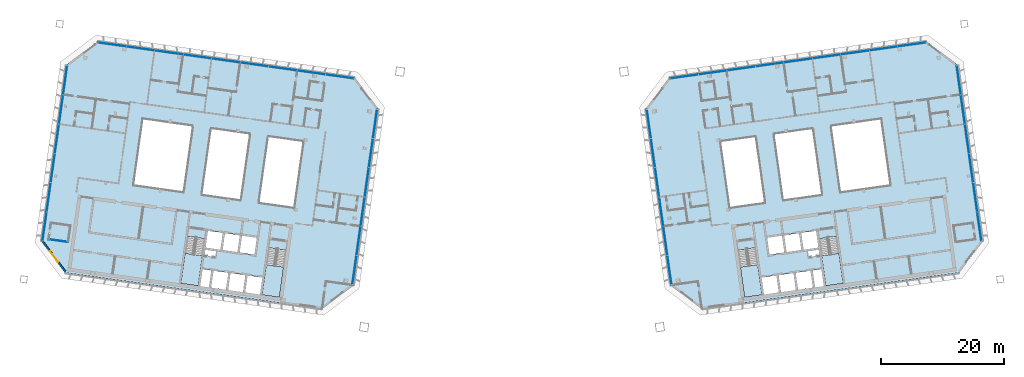
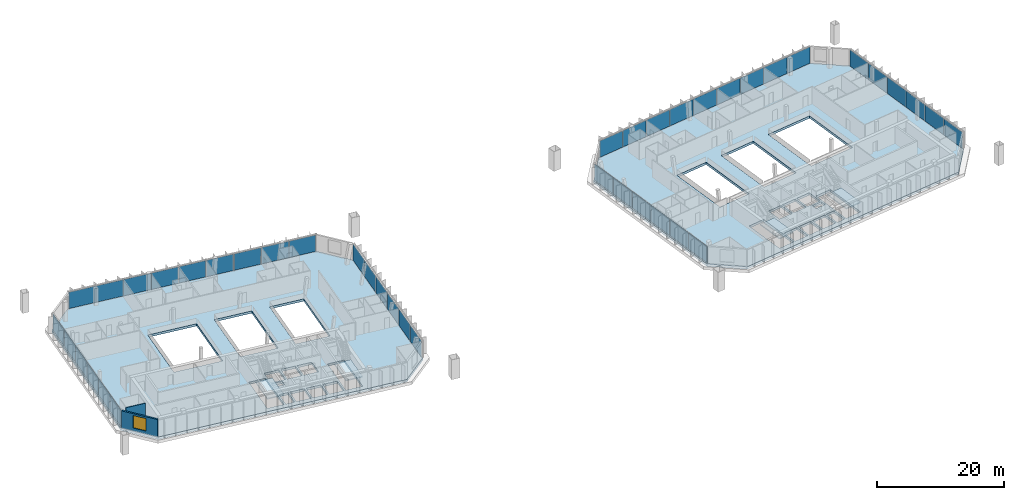
# One storey, part 11 of 20: 42 plates, 6 slabs, 2 walls, 1 window, 1 opening, 10 elements without a shape of their own.
"""IFC4 building model written with IfcOpenShell, lengths in metres."""

from ifc_helpers import new_model, si_unit, direction, frame, frame_2d, origin, origin_2d, place, context, subcontext, project, spatial, polyline, rectangle, outline, extrude, material, layer, layer_set, type_object, element, fill, aggregate, save


model = new_model("IFC4")

# Units and contexts
model_context = context("Model", 3, precision=1e-05, world=origin(), true_north=direction((0.0, 1.0)))
body_context = subcontext(model_context, "Body", "Model", "MODEL_VIEW")
ifc_project = project(units=[si_unit("LENGTHUNIT", "METRE"), si_unit("AREAUNIT", "SQUARE_METRE"), si_unit("VOLUMEUNIT", "CUBIC_METRE"), si_unit("PLANEANGLEUNIT", "RADIAN"), si_unit("MASSUNIT", "GRAM", prefix="KILO")], contexts=[model_context])

# Site, building, storey
site_placement = place(None, origin())
site = spatial("IfcSite", under=ifc_project, at=site_placement, CompositionType="ELEMENT")
building_placement = place(site_placement, origin())
building = spatial("IfcBuilding", under=site, at=building_placement, Name="Mirante Cascada Hotel Towers", CompositionType="ELEMENT")
storey_placement = place(building_placement, frame((0.0, 0.0, 224.2)))
storey = spatial("IfcBuildingStorey", under=building, at=storey_placement, Name="L53", CompositionType="ELEMENT", Elevation=224.2)

# Curtain wall, plates
ifc_material_1 = material(Name="Aluminium mullion and transom frame with clear laminated glass", Category="aluminium")
curtain_wall_type_1 = type_object("IfcCurtainWallType", Name="Ribbon curtain wall ECW1", PredefinedType="NOTDEFINED", material=ifc_material_1)
curtain_wall_1_placement = place(storey_placement, origin())
curtain_wall_1 = element("IfcCurtainWall", 1, at=curtain_wall_1_placement, inside=storey, type_object=curtain_wall_type_1, Name="Front ribbon wall T1 L53", PredefinedType="NOTDEFINED")
ifc_material_2 = material(Name="Clear laminated glass", Category="glass")
ifc_layer_1 = layer(ifc_material_2, 0.036)
ifc_layer_set_1 = layer_set([ifc_layer_1], Name="ECW1 glass panel 36")
plate_type_1 = type_object("IfcPlateType", Name="ECW1 glass panel 36", PredefinedType="CURTAIN_PANEL", material=ifc_layer_set_1)
plate_1_placement = place(storey_placement, frame((-65.0871, 21.9664, 0.1), z_axis=(0.0, 0.0, 1.0), x_axis=(0.9902681, -0.1391731, 0.0)))
plate_1 = element("IfcPlate", 2, at=plate_1_placement, type_object=plate_type_1, Name="ECW1 panel 1", PredefinedType="CURTAIN_PANEL", context=body_context, shape_type="SweptSolid", body=[
    extrude(rectangle(XDim=4.5836, YDim=0.036, at=origin_2d()), origin(), (0.0, 0.0, 1.0), 3.15),
])
plate_2_placement = place(storey_placement, frame((-60.4676, 21.3172, 0.1), z_axis=(0.0, 0.0, 1.0), x_axis=(0.9902681, -0.1391731, 0.0)))
plate_2 = element("IfcPlate", 3, at=plate_2_placement, type_object=plate_type_1, Name="ECW1 panel 2", PredefinedType="CURTAIN_PANEL", context=body_context, shape_type="SweptSolid", body=[
    extrude(rectangle(XDim=4.6161, YDim=0.036, at=origin_2d()), origin(), (0.0, 0.0, 1.0), 3.15),
])
plate_3_placement = place(storey_placement, frame((-55.8321, 20.6657, 0.1), z_axis=(0.0, 0.0, 1.0), x_axis=(0.9902681, -0.1391731, 0.0)))
plate_3 = element("IfcPlate", 4, at=plate_3_placement, type_object=plate_type_1, Name="ECW1 panel 3", PredefinedType="CURTAIN_PANEL", context=body_context, shape_type="SweptSolid", body=[
    extrude(rectangle(XDim=4.6161, YDim=0.036, at=origin_2d()), origin(), (0.0, 0.0, 1.0), 3.15),
])
plate_4_placement = place(storey_placement, frame((-51.1966, 20.0142, 0.1), z_axis=(0.0, 0.0, 1.0), x_axis=(0.9902681, -0.1391731, 0.0)))
plate_4 = element("IfcPlate", 5, at=plate_4_placement, type_object=plate_type_1, Name="ECW1 panel 4", PredefinedType="CURTAIN_PANEL", context=body_context, shape_type="SweptSolid", body=[
    extrude(rectangle(XDim=4.6161, YDim=0.036, at=origin_2d()), origin(), (0.0, 0.0, 1.0), 3.15),
])
plate_5_placement = place(storey_placement, frame((-46.5611, 19.3628, 0.1), z_axis=(0.0, 0.0, 1.0), x_axis=(0.9902681, -0.1391731, 0.0)))
plate_5 = element("IfcPlate", 6, at=plate_5_placement, type_object=plate_type_1, Name="ECW1 panel 5", PredefinedType="CURTAIN_PANEL", context=body_context, shape_type="SweptSolid", body=[
    extrude(rectangle(XDim=4.6161, YDim=0.036, at=origin_2d()), origin(), (0.0, 0.0, 1.0), 3.15),
])
plate_6_placement = place(storey_placement, frame((-41.9255, 18.7113, 0.1), z_axis=(0.0, 0.0, 1.0), x_axis=(0.9902681, -0.1391731, 0.0)))
plate_6 = element("IfcPlate", 7, at=plate_6_placement, type_object=plate_type_1, Name="ECW1 panel 6", PredefinedType="CURTAIN_PANEL", context=body_context, shape_type="SweptSolid", body=[
    extrude(rectangle(XDim=4.6161, YDim=0.036, at=origin_2d()), origin(), (0.0, 0.0, 1.0), 3.15),
])
plate_7_placement = place(storey_placement, frame((-37.29, 18.0598, 0.1), z_axis=(0.0, 0.0, 1.0), x_axis=(0.9902681, -0.1391731, 0.0)))
plate_7 = element("IfcPlate", 8, at=plate_7_placement, type_object=plate_type_1, Name="ECW1 panel 7", PredefinedType="CURTAIN_PANEL", context=body_context, shape_type="SweptSolid", body=[
    extrude(rectangle(XDim=4.6161, YDim=0.036, at=origin_2d()), origin(), (0.0, 0.0, 1.0), 3.15),
])
plate_8_placement = place(storey_placement, frame((-32.6545, 17.4083, 0.1), z_axis=(0.0, 0.0, 1.0), x_axis=(0.9902681, -0.1391731, 0.0)))
plate_8 = element("IfcPlate", 9, at=plate_8_placement, type_object=plate_type_1, Name="ECW1 panel 8", PredefinedType="CURTAIN_PANEL", context=body_context, shape_type="SweptSolid", body=[
    extrude(rectangle(XDim=4.6161, YDim=0.036, at=origin_2d()), origin(), (0.0, 0.0, 1.0), 3.15),
])
plate_9_placement = place(storey_placement, frame((-28.035, 16.7591, 0.1), z_axis=(0.0, 0.0, 1.0), x_axis=(0.9902681, -0.1391731, 0.0)))
plate_9 = element("IfcPlate", 10, at=plate_9_placement, type_object=plate_type_1, Name="ECW1 panel 9", PredefinedType="CURTAIN_PANEL", context=body_context, shape_type="SweptSolid", body=[
    extrude(rectangle(XDim=4.5836, YDim=0.036, at=origin_2d()), origin(), (0.0, 0.0, 1.0), 3.15),
])
aggregate(curtain_wall_1, [plate_1, plate_2, plate_3, plate_4, plate_5, plate_6, plate_7, plate_8, plate_9])

curtain_wall_2_placement = place(storey_placement, origin())
curtain_wall_2 = element("IfcCurtainWall", 11, at=curtain_wall_2_placement, inside=storey, type_object=curtain_wall_type_1, Name="Front ribbon wall T2 L53", PredefinedType="NOTDEFINED")
plate_10_placement = place(storey_placement, frame((65.0871, 21.9664, 0.1), z_axis=(0.0, 0.0, 1.0), x_axis=(-0.9902681, -0.1391731, 0.0)))
plate_10 = element("IfcPlate", 12, at=plate_10_placement, type_object=plate_type_1, Name="ECW1 panel 1", PredefinedType="CURTAIN_PANEL", context=body_context, shape_type="SweptSolid", body=[
    extrude(rectangle(XDim=4.5836, YDim=0.036, at=origin_2d()), origin(), (0.0, 0.0, 1.0), 3.15),
])
plate_11_placement = place(storey_placement, frame((60.4676, 21.3172, 0.1), z_axis=(0.0, 0.0, 1.0), x_axis=(-0.9902681, -0.1391731, 0.0)))
plate_11 = element("IfcPlate", 13, at=plate_11_placement, type_object=plate_type_1, Name="ECW1 panel 2", PredefinedType="CURTAIN_PANEL", context=body_context, shape_type="SweptSolid", body=[
    extrude(rectangle(XDim=4.6161, YDim=0.036, at=origin_2d()), origin(), (0.0, 0.0, 1.0), 3.15),
])
plate_12_placement = place(storey_placement, frame((55.8321, 20.6657, 0.1), z_axis=(0.0, 0.0, 1.0), x_axis=(-0.9902681, -0.1391731, 0.0)))
plate_12 = element("IfcPlate", 14, at=plate_12_placement, type_object=plate_type_1, Name="ECW1 panel 3", PredefinedType="CURTAIN_PANEL", context=body_context, shape_type="SweptSolid", body=[
    extrude(rectangle(XDim=4.6161, YDim=0.036, at=origin_2d()), origin(), (0.0, 0.0, 1.0), 3.15),
])
plate_13_placement = place(storey_placement, frame((51.1966, 20.0142, 0.1), z_axis=(0.0, 0.0, 1.0), x_axis=(-0.9902681, -0.1391731, 0.0)))
plate_13 = element("IfcPlate", 15, at=plate_13_placement, type_object=plate_type_1, Name="ECW1 panel 4", PredefinedType="CURTAIN_PANEL", context=body_context, shape_type="SweptSolid", body=[
    extrude(rectangle(XDim=4.6161, YDim=0.036, at=origin_2d()), origin(), (0.0, 0.0, 1.0), 3.15),
])
plate_14_placement = place(storey_placement, frame((46.5611, 19.3628, 0.1), z_axis=(0.0, 0.0, 1.0), x_axis=(-0.9902681, -0.1391731, 0.0)))
plate_14 = element("IfcPlate", 16, at=plate_14_placement, type_object=plate_type_1, Name="ECW1 panel 5", PredefinedType="CURTAIN_PANEL", context=body_context, shape_type="SweptSolid", body=[
    extrude(rectangle(XDim=4.6161, YDim=0.036, at=origin_2d()), origin(), (0.0, 0.0, 1.0), 3.15),
])
plate_15_placement = place(storey_placement, frame((41.9255, 18.7113, 0.1), z_axis=(0.0, 0.0, 1.0), x_axis=(-0.9902681, -0.1391731, 0.0)))
plate_15 = element("IfcPlate", 17, at=plate_15_placement, type_object=plate_type_1, Name="ECW1 panel 6", PredefinedType="CURTAIN_PANEL", context=body_context, shape_type="SweptSolid", body=[
    extrude(rectangle(XDim=4.6161, YDim=0.036, at=origin_2d()), origin(), (0.0, 0.0, 1.0), 3.15),
])
plate_16_placement = place(storey_placement, frame((37.29, 18.0598, 0.1), z_axis=(0.0, 0.0, 1.0), x_axis=(-0.9902681, -0.1391731, 0.0)))
plate_16 = element("IfcPlate", 18, at=plate_16_placement, type_object=plate_type_1, Name="ECW1 panel 7", PredefinedType="CURTAIN_PANEL", context=body_context, shape_type="SweptSolid", body=[
    extrude(rectangle(XDim=4.6161, YDim=0.036, at=origin_2d()), origin(), (0.0, 0.0, 1.0), 3.15),
])
plate_17_placement = place(storey_placement, frame((32.6545, 17.4083, 0.1), z_axis=(0.0, 0.0, 1.0), x_axis=(-0.9902681, -0.1391731, 0.0)))
plate_17 = element("IfcPlate", 19, at=plate_17_placement, type_object=plate_type_1, Name="ECW1 panel 8", PredefinedType="CURTAIN_PANEL", context=body_context, shape_type="SweptSolid", body=[
    extrude(rectangle(XDim=4.6161, YDim=0.036, at=origin_2d()), origin(), (0.0, 0.0, 1.0), 3.15),
])
plate_18_placement = place(storey_placement, frame((28.035, 16.7591, 0.1), z_axis=(0.0, 0.0, 1.0), x_axis=(-0.9902681, -0.1391731, 0.0)))
plate_18 = element("IfcPlate", 20, at=plate_18_placement, type_object=plate_type_1, Name="ECW1 panel 9", PredefinedType="CURTAIN_PANEL", context=body_context, shape_type="SweptSolid", body=[
    extrude(rectangle(XDim=4.5836, YDim=0.036, at=origin_2d()), origin(), (0.0, 0.0, 1.0), 3.15),
])
aggregate(curtain_wall_2, [plate_10, plate_11, plate_12, plate_13, plate_14, plate_15, plate_16, plate_17, plate_18])

ifc_material_3 = material(Name="Aluminium mullion and transom frame with clear laminated glass", Category="aluminium")
curtain_wall_type_2 = type_object("IfcCurtainWallType", Name="End ribbon curtain wall ECW2", PredefinedType="NOTDEFINED", material=ifc_material_3)
curtain_wall_3_placement = place(storey_placement, origin())
curtain_wall_3 = element("IfcCurtainWall", 21, at=curtain_wall_3_placement, inside=storey, type_object=curtain_wall_type_2, Name="Inner end wall T1 L53", PredefinedType="NOTDEFINED")
ifc_material_4 = material(Name="Clear laminated glass", Category="glass")
ifc_layer_2 = layer(ifc_material_4, 0.034)
ifc_layer_set_2 = layer_set([ifc_layer_2], Name="ECW2 glass panel 34")
plate_type_2 = type_object("IfcPlateType", Name="ECW2 glass panel 34", PredefinedType="CURTAIN_PANEL", material=ifc_layer_set_2)
plate_19_placement = place(storey_placement, frame((-22.2832, 9.0489, 0.1), z_axis=(0.0, 0.0, 1.0), x_axis=(-0.1391731, -0.9902681, 0.0)))
plate_19 = element("IfcPlate", 22, at=plate_19_placement, type_object=plate_type_2, Name="ECW2 panel 1", PredefinedType="CURTAIN_PANEL", context=body_context, shape_type="SweptSolid", body=[
    extrude(rectangle(XDim=4.7151, YDim=0.034, at=origin_2d()), origin(), (0.0, 0.0, 1.0), 3.15),
])
plate_20_placement = place(storey_placement, frame((-22.9507, 4.2992, 0.1), z_axis=(0.0, 0.0, 1.0), x_axis=(-0.1391731, -0.9902681, 0.0)))
plate_20 = element("IfcPlate", 23, at=plate_20_placement, type_object=plate_type_2, Name="ECW2 panel 2", PredefinedType="CURTAIN_PANEL", context=body_context, shape_type="SweptSolid", body=[
    extrude(rectangle(XDim=4.7476, YDim=0.034, at=origin_2d()), origin(), (0.0, 0.0, 1.0), 3.15),
])
plate_21_placement = place(storey_placement, frame((-23.6205, -0.4666, 0.1), z_axis=(0.0, 0.0, 1.0), x_axis=(-0.1391731, -0.9902681, 0.0)))
plate_21 = element("IfcPlate", 24, at=plate_21_placement, type_object=plate_type_2, Name="ECW2 panel 3", PredefinedType="CURTAIN_PANEL", context=body_context, shape_type="SweptSolid", body=[
    extrude(rectangle(XDim=4.7476, YDim=0.034, at=origin_2d()), origin(), (0.0, 0.0, 1.0), 3.15),
])
plate_22_placement = place(storey_placement, frame((-24.2903, -5.2324, 0.1), z_axis=(0.0, 0.0, 1.0), x_axis=(-0.1391731, -0.9902681, 0.0)))
plate_22 = element("IfcPlate", 25, at=plate_22_placement, type_object=plate_type_2, Name="ECW2 panel 4", PredefinedType="CURTAIN_PANEL", context=body_context, shape_type="SweptSolid", body=[
    extrude(rectangle(XDim=4.7476, YDim=0.034, at=origin_2d()), origin(), (0.0, 0.0, 1.0), 3.15),
])
plate_23_placement = place(storey_placement, frame((-24.9601, -9.9982, 0.1), z_axis=(0.0, 0.0, 1.0), x_axis=(-0.1391731, -0.9902681, 0.0)))
plate_23 = element("IfcPlate", 26, at=plate_23_placement, type_object=plate_type_2, Name="ECW2 panel 5", PredefinedType="CURTAIN_PANEL", context=body_context, shape_type="SweptSolid", body=[
    extrude(rectangle(XDim=4.7476, YDim=0.034, at=origin_2d()), origin(), (0.0, 0.0, 1.0), 3.15),
])
plate_24_placement = place(storey_placement, frame((-25.6276, -14.7479, 0.1), z_axis=(0.0, 0.0, 1.0), x_axis=(-0.1391731, -0.9902681, 0.0)))
plate_24 = element("IfcPlate", 27, at=plate_24_placement, type_object=plate_type_2, Name="ECW2 panel 6", PredefinedType="CURTAIN_PANEL", context=body_context, shape_type="SweptSolid", body=[
    extrude(rectangle(XDim=4.7151, YDim=0.034, at=origin_2d()), origin(), (0.0, 0.0, 1.0), 3.15),
])
aggregate(curtain_wall_3, [plate_19, plate_20, plate_21, plate_22, plate_23, plate_24])

curtain_wall_4_placement = place(storey_placement, origin())
curtain_wall_4 = element("IfcCurtainWall", 28, at=curtain_wall_4_placement, inside=storey, type_object=curtain_wall_type_2, Name="Outer end wall T1 L53", PredefinedType="NOTDEFINED")
plate_25_placement = place(storey_placement, frame((-76.0857, -7.6565, 0.1), z_axis=(0.0, 0.0, 1.0), x_axis=(0.1391731, 0.9902681, 0.0)))
plate_25 = element("IfcPlate", 29, at=plate_25_placement, type_object=plate_type_2, Name="ECW2 panel 1", PredefinedType="CURTAIN_PANEL", context=body_context, shape_type="SweptSolid", body=[
    extrude(rectangle(XDim=4.7151, YDim=0.034, at=origin_2d()), origin(), (0.0, 0.0, 1.0), 3.15),
])
plate_26_placement = place(storey_placement, frame((-72.7413, 16.1403, 0.1), z_axis=(0.0, 0.0, 1.0), x_axis=(0.1391731, 0.9902681, 0.0)))
plate_26 = element("IfcPlate", 30, at=plate_26_placement, type_object=plate_type_2, Name="ECW2 panel 6", PredefinedType="CURTAIN_PANEL", context=body_context, shape_type="SweptSolid", body=[
    extrude(rectangle(XDim=4.7151, YDim=0.034, at=origin_2d()), origin(), (0.0, 0.0, 1.0), 3.15),
])

curtain_wall_5_placement = place(storey_placement, origin())
curtain_wall_5 = element("IfcCurtainWall", 31, at=curtain_wall_5_placement, inside=storey, type_object=curtain_wall_type_2, Name="Inner end wall T2 L53", PredefinedType="NOTDEFINED")
plate_27_placement = place(storey_placement, frame((22.2832, 9.0489, 0.1), z_axis=(0.0, 0.0, 1.0), x_axis=(0.1391731, -0.9902681, 0.0)))
plate_27 = element("IfcPlate", 32, at=plate_27_placement, type_object=plate_type_2, Name="ECW2 panel 1", PredefinedType="CURTAIN_PANEL", context=body_context, shape_type="SweptSolid", body=[
    extrude(rectangle(XDim=4.7151, YDim=0.034, at=origin_2d()), origin(), (0.0, 0.0, 1.0), 3.15),
])
plate_28_placement = place(storey_placement, frame((22.9507, 4.2992, 0.1), z_axis=(0.0, 0.0, 1.0), x_axis=(0.1391731, -0.9902681, 0.0)))
plate_28 = element("IfcPlate", 33, at=plate_28_placement, type_object=plate_type_2, Name="ECW2 panel 2", PredefinedType="CURTAIN_PANEL", context=body_context, shape_type="SweptSolid", body=[
    extrude(rectangle(XDim=4.7476, YDim=0.034, at=origin_2d()), origin(), (0.0, 0.0, 1.0), 3.15),
])
plate_29_placement = place(storey_placement, frame((23.6205, -0.4666, 0.1), z_axis=(0.0, 0.0, 1.0), x_axis=(0.1391731, -0.9902681, 0.0)))
plate_29 = element("IfcPlate", 34, at=plate_29_placement, type_object=plate_type_2, Name="ECW2 panel 3", PredefinedType="CURTAIN_PANEL", context=body_context, shape_type="SweptSolid", body=[
    extrude(rectangle(XDim=4.7476, YDim=0.034, at=origin_2d()), origin(), (0.0, 0.0, 1.0), 3.15),
])
plate_30_placement = place(storey_placement, frame((24.2903, -5.2324, 0.1), z_axis=(0.0, 0.0, 1.0), x_axis=(0.1391731, -0.9902681, 0.0)))
plate_30 = element("IfcPlate", 35, at=plate_30_placement, type_object=plate_type_2, Name="ECW2 panel 4", PredefinedType="CURTAIN_PANEL", context=body_context, shape_type="SweptSolid", body=[
    extrude(rectangle(XDim=4.7476, YDim=0.034, at=origin_2d()), origin(), (0.0, 0.0, 1.0), 3.15),
])
plate_31_placement = place(storey_placement, frame((24.9601, -9.9982, 0.1), z_axis=(0.0, 0.0, 1.0), x_axis=(0.1391731, -0.9902681, 0.0)))
plate_31 = element("IfcPlate", 36, at=plate_31_placement, type_object=plate_type_2, Name="ECW2 panel 5", PredefinedType="CURTAIN_PANEL", context=body_context, shape_type="SweptSolid", body=[
    extrude(rectangle(XDim=4.7476, YDim=0.034, at=origin_2d()), origin(), (0.0, 0.0, 1.0), 3.15),
])
plate_32_placement = place(storey_placement, frame((25.6276, -14.7479, 0.1), z_axis=(0.0, 0.0, 1.0), x_axis=(0.1391731, -0.9902681, 0.0)))
plate_32 = element("IfcPlate", 37, at=plate_32_placement, type_object=plate_type_2, Name="ECW2 panel 6", PredefinedType="CURTAIN_PANEL", context=body_context, shape_type="SweptSolid", body=[
    extrude(rectangle(XDim=4.7151, YDim=0.034, at=origin_2d()), origin(), (0.0, 0.0, 1.0), 3.15),
])
aggregate(curtain_wall_5, [plate_27, plate_28, plate_29, plate_30, plate_31, plate_32])

curtain_wall_6_placement = place(storey_placement, origin())
curtain_wall_6 = element("IfcCurtainWall", 38, at=curtain_wall_6_placement, inside=storey, type_object=curtain_wall_type_2, Name="Outer end wall T2 L53", PredefinedType="NOTDEFINED")
plate_33_placement = place(storey_placement, frame((76.0857, -7.6565, 0.1), z_axis=(0.0, 0.0, 1.0), x_axis=(-0.1391731, 0.9902681, 0.0)))
plate_33 = element("IfcPlate", 39, at=plate_33_placement, type_object=plate_type_2, Name="ECW2 panel 1", PredefinedType="CURTAIN_PANEL", context=body_context, shape_type="SweptSolid", body=[
    extrude(rectangle(XDim=4.7151, YDim=0.034, at=origin_2d()), origin(), (0.0, 0.0, 1.0), 3.15),
])
plate_34_placement = place(storey_placement, frame((72.7413, 16.1403, 0.1), z_axis=(0.0, 0.0, 1.0), x_axis=(-0.1391731, 0.9902681, 0.0)))
plate_34 = element("IfcPlate", 40, at=plate_34_placement, type_object=plate_type_2, Name="ECW2 panel 6", PredefinedType="CURTAIN_PANEL", context=body_context, shape_type="SweptSolid", body=[
    extrude(rectangle(XDim=4.7151, YDim=0.034, at=origin_2d()), origin(), (0.0, 0.0, 1.0), 3.15),
])

# Plate
ifc_material_5 = material(Name="Insulated aluminium spandrel panel", Category="aluminium")
ifc_layer_3 = layer(ifc_material_5, 0.034)
ifc_layer_set_3 = layer_set([ifc_layer_3], Name="ECW2 spandrel panel 34")
plate_type_3 = type_object("IfcPlateType", Name="ECW2 spandrel panel 34", PredefinedType="CURTAIN_PANEL", material=ifc_layer_set_3)
plate_35_placement = place(storey_placement, frame((-75.4182, -2.9068, 0.1), z_axis=(0.0, 0.0, 1.0), x_axis=(0.1391731, 0.9902681, 0.0)))
plate_35 = element("IfcPlate", 41, at=plate_35_placement, type_object=plate_type_3, Name="ECW2 panel 2", PredefinedType="CURTAIN_PANEL", context=body_context, shape_type="SweptSolid", body=[
    extrude(rectangle(XDim=4.7476, YDim=0.034, at=origin_2d()), origin(), (0.0, 0.0, 1.0), 3.15),
])

plate_36_placement = place(storey_placement, frame((-74.7484, 1.859, 0.1), z_axis=(0.0, 0.0, 1.0), x_axis=(0.1391731, 0.9902681, 0.0)))
plate_36 = element("IfcPlate", 42, at=plate_36_placement, type_object=plate_type_3, Name="ECW2 panel 3", PredefinedType="CURTAIN_PANEL", context=body_context, shape_type="SweptSolid", body=[
    extrude(rectangle(XDim=4.7476, YDim=0.034, at=origin_2d()), origin(), (0.0, 0.0, 1.0), 3.15),
])

plate_37_placement = place(storey_placement, frame((-74.0786, 6.6248, 0.1), z_axis=(0.0, 0.0, 1.0), x_axis=(0.1391731, 0.9902681, 0.0)))
plate_37 = element("IfcPlate", 43, at=plate_37_placement, type_object=plate_type_3, Name="ECW2 panel 4", PredefinedType="CURTAIN_PANEL", context=body_context, shape_type="SweptSolid", body=[
    extrude(rectangle(XDim=4.7476, YDim=0.034, at=origin_2d()), origin(), (0.0, 0.0, 1.0), 3.15),
])

plate_38_placement = place(storey_placement, frame((-73.4088, 11.3906, 0.1), z_axis=(0.0, 0.0, 1.0), x_axis=(0.1391731, 0.9902681, 0.0)))
plate_38 = element("IfcPlate", 44, at=plate_38_placement, type_object=plate_type_3, Name="ECW2 panel 5", PredefinedType="CURTAIN_PANEL", context=body_context, shape_type="SweptSolid", body=[
    extrude(rectangle(XDim=4.7476, YDim=0.034, at=origin_2d()), origin(), (0.0, 0.0, 1.0), 3.15),
])

aggregate(curtain_wall_4, [plate_25, plate_35, plate_36, plate_37, plate_38, plate_26])

plate_39_placement = place(storey_placement, frame((75.4182, -2.9068, 0.1), z_axis=(0.0, 0.0, 1.0), x_axis=(-0.1391731, 0.9902681, 0.0)))
plate_39 = element("IfcPlate", 45, at=plate_39_placement, type_object=plate_type_3, Name="ECW2 panel 2", PredefinedType="CURTAIN_PANEL", context=body_context, shape_type="SweptSolid", body=[
    extrude(rectangle(XDim=4.7476, YDim=0.034, at=origin_2d()), origin(), (0.0, 0.0, 1.0), 3.15),
])

plate_40_placement = place(storey_placement, frame((74.7484, 1.859, 0.1), z_axis=(0.0, 0.0, 1.0), x_axis=(-0.1391731, 0.9902681, 0.0)))
plate_40 = element("IfcPlate", 46, at=plate_40_placement, type_object=plate_type_3, Name="ECW2 panel 3", PredefinedType="CURTAIN_PANEL", context=body_context, shape_type="SweptSolid", body=[
    extrude(rectangle(XDim=4.7476, YDim=0.034, at=origin_2d()), origin(), (0.0, 0.0, 1.0), 3.15),
])

plate_41_placement = place(storey_placement, frame((74.0786, 6.6248, 0.1), z_axis=(0.0, 0.0, 1.0), x_axis=(-0.1391731, 0.9902681, 0.0)))
plate_41 = element("IfcPlate", 47, at=plate_41_placement, type_object=plate_type_3, Name="ECW2 panel 4", PredefinedType="CURTAIN_PANEL", context=body_context, shape_type="SweptSolid", body=[
    extrude(rectangle(XDim=4.7476, YDim=0.034, at=origin_2d()), origin(), (0.0, 0.0, 1.0), 3.15),
])

plate_42_placement = place(storey_placement, frame((73.4088, 11.3906, 0.1), z_axis=(0.0, 0.0, 1.0), x_axis=(-0.1391731, 0.9902681, 0.0)))
plate_42 = element("IfcPlate", 48, at=plate_42_placement, type_object=plate_type_3, Name="ECW2 panel 5", PredefinedType="CURTAIN_PANEL", context=body_context, shape_type="SweptSolid", body=[
    extrude(rectangle(XDim=4.7476, YDim=0.034, at=origin_2d()), origin(), (0.0, 0.0, 1.0), 3.15),
])

aggregate(curtain_wall_6, [plate_33, plate_39, plate_40, plate_41, plate_42, plate_34])

# Stair, slab
ifc_material_6 = material(Name="Concrete C35/45", Category="concrete")
stair_type = type_object("IfcStairType", Name="Exit stair half-turn 1350 concrete C35/45", PredefinedType="HALF_TURN_STAIR", material=ifc_material_6)
stair_1_placement = place(storey_placement, origin())
stair_1 = element("IfcStair", 49, at=stair_1_placement, inside=storey, type_object=stair_type, Name="L53 Exit stair A", PredefinedType="HALF_TURN_STAIR")
ifc_material_7 = material(Name="Concrete C35/45", Category="concrete")
ifc_layer_4 = layer(ifc_material_7, 0.2)
ifc_layer_set_4 = layer_set([ifc_layer_4], Name="Exit stair landing 200 concrete C35/45")
slab_type_1 = type_object("IfcSlabType", Name="Exit stair landing 200 concrete C35/45", PredefinedType="LANDING", material=ifc_layer_set_4)
slab_1_placement = place(storey_placement, frame((0.0, 0.0, 1.7)))
slab_1 = element("IfcSlab", 50, at=slab_1_placement, type_object=slab_type_1, Name="ST1-A landing 1", PredefinedType="LANDING", context=body_context, shape_type="SweptSolid", body=[
    extrude(outline(polyline([(-39.9987, -13.8659), (-40.6887, -18.7757), (-37.8665, -19.1723), (-37.1765, -14.2626), (-39.9987, -13.8659)])), origin(), (0.0, 0.0, 1.0), 0.2),
])
aggregate(stair_1, [slab_1])

stair_2_placement = place(storey_placement, origin())
stair_2 = element("IfcStair", 51, at=stair_2_placement, inside=storey, type_object=stair_type, Name="L53 Exit stair B", PredefinedType="HALF_TURN_STAIR")
slab_2_placement = place(storey_placement, frame((0.0, 0.0, 1.7)))
slab_2 = element("IfcSlab", 52, at=slab_2_placement, type_object=slab_type_1, Name="ST1-B landing 1", PredefinedType="LANDING", context=body_context, shape_type="SweptSolid", body=[
    extrude(outline(polyline([(-53.2188, -12.008), (-53.9088, -16.9177), (-51.0866, -17.3144), (-50.3965, -12.4046), (-53.2188, -12.008)])), origin(), (0.0, 0.0, 1.0), 0.2),
])
aggregate(stair_2, [slab_2])

stair_3_placement = place(storey_placement, origin())
stair_3 = element("IfcStair", 53, at=stair_3_placement, inside=storey, type_object=stair_type, Name="L53 Exit stair A", PredefinedType="HALF_TURN_STAIR")
slab_3_placement = place(storey_placement, frame((0.0, 0.0, 1.7)))
slab_3 = element("IfcSlab", 54, at=slab_3_placement, type_object=slab_type_1, Name="ST2-A landing 1", PredefinedType="LANDING", context=body_context, shape_type="SweptSolid", body=[
    extrude(outline(polyline([(37.1765, -14.2626), (37.8665, -19.1723), (40.6887, -18.7757), (39.9987, -13.8659), (37.1765, -14.2626)])), origin(), (0.0, 0.0, 1.0), 0.2),
])
aggregate(stair_3, [slab_3])

stair_4_placement = place(storey_placement, origin())
stair_4 = element("IfcStair", 55, at=stair_4_placement, inside=storey, type_object=stair_type, Name="L53 Exit stair B", PredefinedType="HALF_TURN_STAIR")
slab_4_placement = place(storey_placement, frame((0.0, 0.0, 1.7)))
slab_4 = element("IfcSlab", 56, at=slab_4_placement, type_object=slab_type_1, Name="ST2-B landing 1", PredefinedType="LANDING", context=body_context, shape_type="SweptSolid", body=[
    extrude(outline(polyline([(50.3965, -12.4046), (51.0866, -17.3144), (53.9088, -16.9177), (53.2188, -12.008), (50.3965, -12.4046)])), origin(), (0.0, 0.0, 1.0), 0.2),
])
aggregate(stair_4, [slab_4])

# Slabs
ifc_material_8 = material(Name="Concrete C40/50", Category="concrete")
ifc_layer_5 = layer(ifc_material_8, 0.45)
ifc_layer_set_5 = layer_set([ifc_layer_5], Name="Post-tensioned flat plate 450 Concrete C40/50")
slab_type_2 = type_object("IfcSlabType", Name="Post-tensioned flat plate 450 Concrete C40/50", PredefinedType="FLOOR", material=ifc_layer_set_5)
slab_5_placement = place(storey_placement, frame((0.0, 0.0, -0.45)))
element("IfcSlab", 57, at=slab_5_placement, inside=storey, type_object=slab_type_2, Name="Floor T1 L53", PredefinedType="FLOOR", context=body_context, shape_type="SweptSolid", body=[
    extrude(outline(polyline([(-25.8249, -17.2293), (-21.7889, 11.4885), (-25.6188, 16.571), (-67.4616, 22.4516), (-72.5441, 18.6217), (-76.5801, -10.0961), (-72.7501, -15.1786), (-30.9074, -21.0592), (-25.8249, -17.2293)]), holes=[polyline([(-40.5961, -15.9612), (-40.9858, -18.7339), (-43.4615, -18.386), (-43.0718, -15.6132), (-40.5961, -15.9612)]), polyline([(-43.3689, -15.5715), (-43.7586, -18.3442), (-46.2342, -17.9963), (-45.8446, -15.2236), (-43.3689, -15.5715)]), polyline([(-46.1416, -15.1818), (-46.5313, -17.9546), (-49.007, -17.6066), (-48.6173, -14.8339), (-46.1416, -15.1818)]), polyline([(-36.7887, -11.5037), (-37.8665, -19.1723), (-40.6887, -18.7757), (-39.611, -11.107), (-36.7887, -11.5037)]), polyline([(-43.9775, -9.124), (-41.5018, -9.472), (-41.8915, -12.2447), (-44.3672, -11.8968), (-43.9775, -9.124)]), polyline([(-44.2746, -9.0823), (-44.6643, -11.855), (-47.1399, -11.5071), (-46.7503, -8.7344), (-44.2746, -9.0823)]), polyline([(-50.3998, -14.5834), (-48.9144, -14.7921), (-49.3041, -17.5649), (-50.7895, -17.3561), (-50.3998, -14.5834)]), polyline([(-50.0088, -9.6457), (-51.0866, -17.3144), (-53.9088, -16.9177), (-52.8311, -9.2491), (-50.0088, -9.6457)]), polyline([(-48.1472, -11.6685), (-48.2829, -12.634), (-50.0901, -12.38), (-49.9544, -11.4145), (-48.1472, -11.6685)]), polyline([(-49.523, -8.3447), (-47.0473, -8.6926), (-47.437, -11.4654), (-49.9127, -11.1174), (-49.523, -8.3447)]), polyline([(-51.9377, 8.7578), (-53.4686, -2.1351), (-53.4686, -2.1351), (-61.6666, -0.983), (-60.1357, 9.91), (-51.9377, 8.7578)]), polyline([(-42.6393, 7.451), (-44.1702, -3.4419), (-50.4959, -2.5529), (-48.965, 8.34), (-42.6393, 7.451)]), polyline([(-33.8946, 6.222), (-35.4255, -4.6709), (-41.1975, -3.8597), (-39.6666, 7.0332), (-33.8946, 6.222)])]), origin(), (0.0, 0.0, 1.0), 0.45),
])
slab_6_placement = place(storey_placement, frame((0.0, 0.0, -0.45)))
element("IfcSlab", 58, at=slab_6_placement, inside=storey, type_object=slab_type_2, Name="Floor T2 L53", PredefinedType="FLOOR", context=body_context, shape_type="SweptSolid", body=[
    extrude(outline(polyline([(25.8249, -17.2293), (21.7889, 11.4885), (25.6188, 16.571), (67.4616, 22.4516), (72.5441, 18.6217), (76.5801, -10.0961), (72.7501, -15.1786), (30.9074, -21.0592), (25.8249, -17.2293)]), holes=[polyline([(40.5961, -15.9612), (40.9858, -18.7339), (43.4615, -18.386), (43.0718, -15.6132), (40.5961, -15.9612)]), polyline([(43.3689, -15.5715), (43.7586, -18.3442), (46.2342, -17.9963), (45.8446, -15.2236), (43.3689, -15.5715)]), polyline([(46.1416, -15.1818), (46.5313, -17.9546), (49.007, -17.6066), (48.6173, -14.8339), (46.1416, -15.1818)]), polyline([(37.8665, -19.1723), (40.6887, -18.7757), (39.611, -11.107), (36.7887, -11.5037), (37.8665, -19.1723)]), polyline([(43.9775, -9.124), (41.5018, -9.472), (41.8915, -12.2447), (44.3672, -11.8968), (43.9775, -9.124)]), polyline([(44.2746, -9.0823), (44.6643, -11.855), (47.1399, -11.5071), (46.7503, -8.7344), (44.2746, -9.0823)]), polyline([(50.3998, -14.5834), (48.9144, -14.7921), (49.3041, -17.5649), (50.7895, -17.3561), (50.3998, -14.5834)]), polyline([(51.0866, -17.3144), (53.9088, -16.9177), (52.8311, -9.2491), (50.0088, -9.6457), (51.0866, -17.3144)]), polyline([(48.1472, -11.6685), (48.2829, -12.634), (50.0901, -12.38), (49.9544, -11.4145), (48.1472, -11.6685)]), polyline([(49.523, -8.3447), (47.0473, -8.6926), (47.437, -11.4654), (49.9127, -11.1174), (49.523, -8.3447)]), polyline([(60.1357, 9.91), (61.6666, -0.983), (53.4686, -2.1351), (53.4686, -2.1351), (51.9377, 8.7578), (60.1357, 9.91)]), polyline([(48.965, 8.34), (50.4959, -2.5529), (44.1702, -3.4419), (42.6393, 7.451), (48.965, 8.34)]), polyline([(39.6666, 7.0332), (41.1975, -3.8597), (35.4255, -4.6709), (33.8946, 6.222), (39.6666, 7.0332)])]), origin(), (0.0, 0.0, 1.0), 0.45),
])

# Wall
ifc_material_9 = material(Name="Plasterboard on metal studs")
ifc_layer_6 = layer(ifc_material_9, 0.1)
ifc_layer_set_6 = layer_set([ifc_layer_6], Name="Partition 100")
wall_type_1 = type_object("IfcWallType", Name="Partition 100", PredefinedType="PARTITIONING", material=ifc_layer_set_6)
wall_1_placement = place(storey_placement, frame((-72.2028, -10.2064, 0.0), z_axis=(0.0, 0.0, 1.0), x_axis=(-0.990267, 0.139181, 0.0)))
element("IfcWall", 59, at=wall_1_placement, inside=storey, type_object=wall_type_1, Name="Wall 1-L53-02", PredefinedType="PARTITIONING", context=body_context, shape_type="SweptSolid", body=[
    extrude(rectangle(XDim=3.3, YDim=0.1, at=frame_2d((1.65, 0.0))), origin(), (0.0, 0.0, 1.0), 3.35),
])

# Wall, opening, window
ifc_material_10 = material(Name="Precast concrete C40/50", Category="concrete")
ifc_layer_7 = layer(ifc_material_10, 0.3)
ifc_layer_set_7 = layer_set([ifc_layer_7], Name="Precast concrete C40/50 cladding wall 300")
wall_type_2 = type_object("IfcWallType", Name="Precast concrete C40/50 cladding wall 300", PredefinedType="STANDARD", material=ifc_layer_set_7)
wall_2_placement = place(storey_placement, frame((-72.7051, -14.9892, 0.0), z_axis=(0.0, 0.0, 1.0), x_axis=(-0.6018141, 0.7986362, 0.0)))
wall_2 = element("IfcWall", 60, at=wall_2_placement, inside=storey, type_object=wall_type_2, Name="Corner cladding wall T1 L53 rear outer", PredefinedType="STANDARD", context=body_context, shape_type="SweptSolid", body=[
    extrude(rectangle(XDim=6.1157, YDim=0.3, at=frame_2d((3.0578, 0.0))), origin(), (0.0, 0.0, 1.0), 3.35),
])
opening_placement = place(wall_2_placement, frame((1.9578, 0.0, 0.6)))
opening = element("IfcOpeningElement", 61, at=opening_placement, cuts=wall_2, Name="Opening W1-53-02", PredefinedType="OPENING", context=body_context, shape_type="SweptSolid", body=[
    extrude(rectangle(XDim=2.2, YDim=2.4, at=frame_2d((1.1, 1.2))), frame((0.0, 0.15, 0.0), z_axis=(0.0, -1.0, 0.0), x_axis=(1.0, 0.0, 0.0)), (0.0, 0.0, 1.0), 0.3),
])
ifc_material_11 = material(Name="Aluminium frame with clear double glazing", Category="aluminium")
window_type = type_object("IfcWindowType", Name="Corner suite window 2200x2400", PartitioningType="DOUBLE_PANEL_VERTICAL", PredefinedType="WINDOW", material=ifc_material_11)
window_placement = place(opening_placement, origin())
window = element("IfcWindow", 62, at=window_placement, inside=storey, type_object=window_type, Name="Window W1-53-02", OverallHeight=2.4, OverallWidth=2.2, PartitioningType="SINGLE_PANEL", PredefinedType="WINDOW", context=body_context, shape_type="SweptSolid", body=[
    extrude(rectangle(XDim=2.2, YDim=2.4, at=frame_2d((1.1, 1.2))), frame((0.0, 0.03, 0.0), z_axis=(0.0, -1.0, 0.0), x_axis=(1.0, 0.0, 0.0)), (0.0, 0.0, 1.0), 0.06),
])
fill(opening, window)

save(model, "model.ifc")
